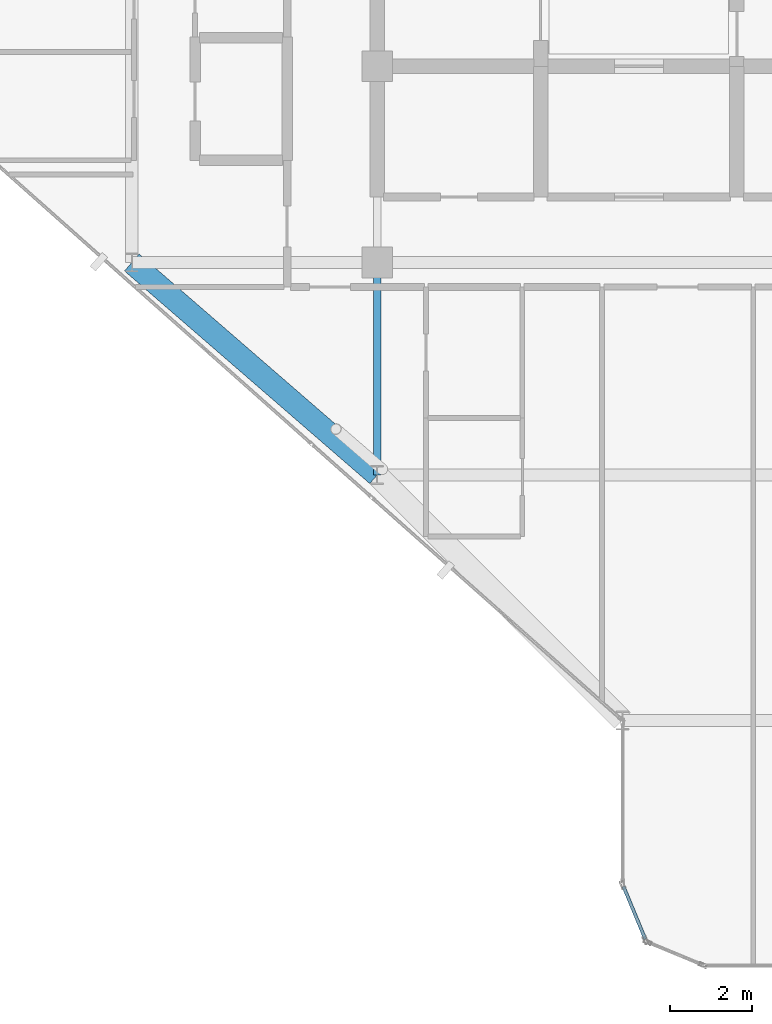
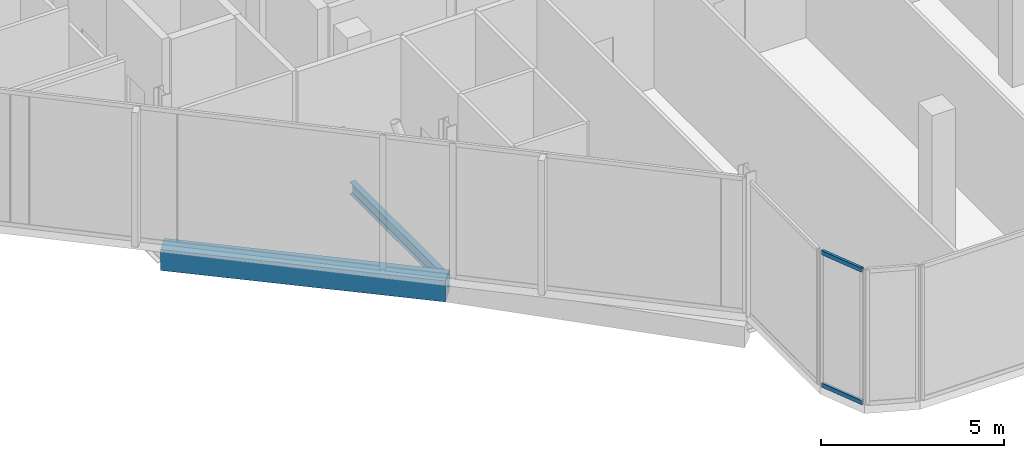
# One storey, part 5 of 29: 2 beams, 2 members, 1 element without a shape of its own.
"""IFC4 building model written with IfcOpenShell, lengths in metres."""

from ifc_helpers import new_model, si_unit, direction, frame, origin, origin_2d, place, context, subcontext, project, spatial, rectangle, hollow_rectangle, i_section, extrude, material, layer, layer_set, material_profile, profile_set, type_object, element, aggregate, save


model = new_model("IFC4")

# Units and contexts
model_context = context("Model", 3, precision=1e-05, world=origin(), true_north=direction((0.0, 1.0)))
body_context = subcontext(model_context, "Body", "Model", "MODEL_VIEW")
ifc_project = project(units=[si_unit("LENGTHUNIT", "METRE"), si_unit("AREAUNIT", "SQUARE_METRE"), si_unit("VOLUMEUNIT", "CUBIC_METRE"), si_unit("PLANEANGLEUNIT", "RADIAN"), si_unit("MASSUNIT", "GRAM", prefix="KILO")], contexts=[model_context])

# Site, building, storey
site_placement = place(None, origin())
site = spatial("IfcSite", under=ifc_project, at=site_placement, CompositionType="ELEMENT")
building_placement = place(site_placement, origin())
building = spatial("IfcBuilding", under=site, at=building_placement, Name="Keshet Zoharim Tower", CompositionType="ELEMENT")
storey_placement = place(building_placement, frame((0.0, 0.0, 218.0)))
storey = spatial("IfcBuildingStorey", under=building, at=storey_placement, Name="L54", CompositionType="ELEMENT", Elevation=218.0)

# Beams
ifc_material_1 = material(Name="Steel S355", Category="steel")
ifc_material_profile_1 = material_profile(ifc_material_1, i_section(OverallWidth=0.179931640625, OverallDepth=0.39990234375, WebThickness=0.008544921875, FlangeThickness=0.013427734375, FilletRadius=0.02099609375, at=origin_2d()), Name="IPE400")
ifc_profile_set_1 = profile_set([ifc_material_profile_1], Name="Steel S355")
beam_type_1 = type_object("IfcBeamType", Name="BM-PRI-IP400", PredefinedType="BEAM", material=ifc_profile_set_1)
beam_1_placement = place(storey_placement, frame((15.0, 12.699951171875, -0.52001953125), z_axis=(0.0, 1.0, 0.0), x_axis=(-1.0, 0.0, 0.0)))
element("IfcBeam", 1, at=beam_1_placement, inside=storey, type_object=beam_type_1, Name="L54 Primary Girder Y-002", PredefinedType="BEAM", context=body_context, shape_type="SweptSolid", body=[
    extrude(i_section(OverallWidth=0.179931640625, OverallDepth=0.39990234375, WebThickness=0.008544921875, FlangeThickness=0.013427734375, FilletRadius=0.02099609375, at=origin_2d()), origin(), (0.0, 0.0, 1.0), 5.199951171875),
])
ifc_material_2 = material(Name="Concrete C50/60", Category="concrete")
ifc_material_profile_2 = material_profile(ifc_material_2, rectangle(XDim=0.550048828125, YDim=0.699951171875, at=origin_2d()), Name="RC700x550")
ifc_profile_set_2 = profile_set([ifc_material_profile_2], Name="Concrete C50/60")
beam_type_2 = type_object("IfcBeamType", Name="BM-SPN-700", PredefinedType="SPANDREL", material=ifc_profile_set_2)
beam_2_placement = place(storey_placement, frame((9.0, 17.89990234375, -0.669921875), z_axis=(0.755692126483, -0.654927026447, 0.0), x_axis=(0.654927026447, 0.755692126483, 0.0)))
element("IfcBeam", 2, at=beam_2_placement, inside=storey, type_object=beam_type_2, Name="L54 Perimeter Spandrel Beam 02", PredefinedType="SPANDREL", context=body_context, shape_type="SweptSolid", body=[
    extrude(rectangle(XDim=0.550048828125, YDim=0.699951171875, at=origin_2d()), origin(), (0.0, 0.0, 1.0), 7.939697265625),
])

# Curtain wall, members
ifc_material_3 = material(Name="Aluminium 6063-T6", Category="aluminium")
ifc_layer = layer(ifc_material_3, 0.14990234375)
ifc_layer_set = layer_set([ifc_layer], Name="Aluminium 6063-T6")
curtain_wall_type = type_object("IfcCurtainWallType", Name="CW-SYS-04", PredefinedType="NOTDEFINED", material=ifc_layer_set)
curtain_wall_placement = place(storey_placement, origin())
curtain_wall = element("IfcCurtainWall", 3, at=curtain_wall_placement, inside=storey, type_object=curtain_wall_type, Name="L54 Unitised Curtain Wall 08", PredefinedType="NOTDEFINED")
ifc_material_profile_3 = material_profile(ifc_material_3, hollow_rectangle(XDim=0.080078125, YDim=0.139892578125, WallThickness=0.00390625, at=origin_2d()), Name="TRN-80x140")
ifc_profile_set_3 = profile_set([ifc_material_profile_3], Name="Aluminium 6063-T6")
member_type = type_object("IfcMemberType", Name="CWT-T14", PredefinedType="USERDEFINED", material=ifc_profile_set_3)
member_1_placement = place(storey_placement, frame((21.55908203125, 1.3505859375, 0.034912109375), z_axis=(-0.382744609247, 0.923854189844, 0.0), x_axis=(-0.923854189844, -0.382744609247, 0.0)))
member_1 = element("IfcMember", 4, at=member_1_placement, type_object=member_type, Name="CW-04 transom 1.1", ObjectType="TRANSOM", PredefinedType="USERDEFINED", context=body_context, shape_type="SweptSolid", body=[
    extrude(hollow_rectangle(XDim=0.080078125, YDim=0.139892578125, WallThickness=0.00390625, at=origin_2d()), origin(), (0.0, 0.0, 1.0), 1.390625),
])
member_2_placement = place(storey_placement, frame((21.55908203125, 1.3505859375, 4.455078125), z_axis=(-0.382744609247, 0.923854189844, 0.0), x_axis=(-0.923854189844, -0.382744609247, 0.0)))
member_2 = element("IfcMember", 5, at=member_2_placement, type_object=member_type, Name="CW-04 transom 1.2", ObjectType="TRANSOM", PredefinedType="USERDEFINED", context=body_context, shape_type="SweptSolid", body=[
    extrude(hollow_rectangle(XDim=0.080078125, YDim=0.139892578125, WallThickness=0.00390625, at=origin_2d()), origin(), (0.0, 0.0, 1.0), 1.390625),
])
aggregate(curtain_wall, [member_1, member_2])

save(model, "model.ifc")
